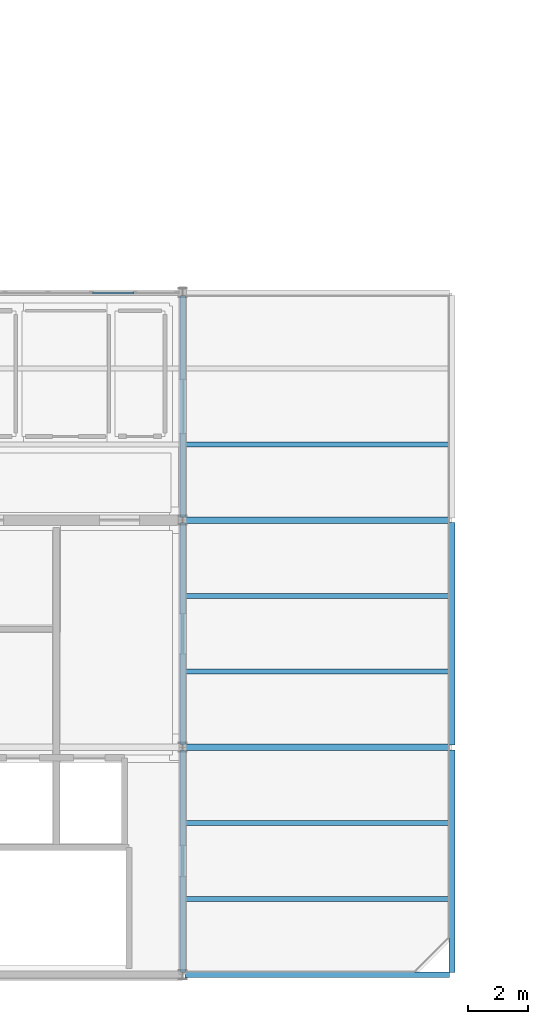
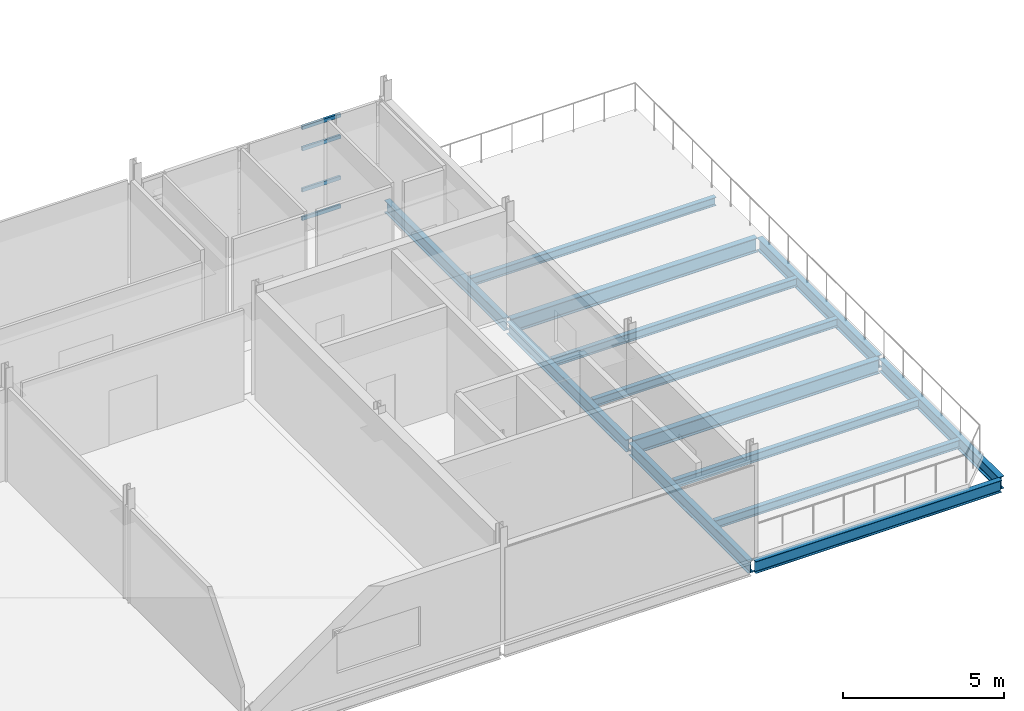
# One storey, part 10 of 24: 13 beams, 4 members, 1 element without a shape of its own.
"""IFC4 building model written with IfcOpenShell, lengths in metres."""

import ifcopenshell
import ifcopenshell.guid

model = None  # the IFC model being written
_history = None  # IfcOwnerHistory: only IFC2X3 demands one
_inside = {}  # id of a spatial element -> (the spatial element, [elements in it])
_under = {}  # id of a project, library or spatial element -> (it, [spatial elements below it])
_declared = {}  # id of a project -> (the project, [libraries it declares])
_typed = {}  # id of a type object -> (the type object, [elements of that type])
_made_of = {}  # id of a material, layer set ... -> (it, [elements and type objects made of it])


def new_model(schema):
    """Start an empty IFC model of exactly this schema.

    Asked for "IFC4X3", IfcOpenShell would pick the latest addendum, in which some entities
    have other attributes; the version numbers below select the first issue.
    IFC2X3 requires an IfcOwnerHistory on every rooted entity: one is made here for all.
    """
    global model, _history
    if schema == "IFC4X3":
        model = ifcopenshell.file(schema_version=(4, 3, 0, 0))
    else:
        model = ifcopenshell.file(schema=schema)
    _inside.clear()
    _under.clear()
    _declared.clear()
    _typed.clear()
    _made_of.clear()
    _history = None
    if model.schema == "IFC2X3":
        org = make("IfcOrganization", Name="unknown")
        user = make(
            "IfcPersonAndOrganization",
            ThePerson=make("IfcPerson", FamilyName="unknown"),
            TheOrganization=org,
        )
        app = make(
            "IfcApplication",
            ApplicationDeveloper=org,
            Version="unknown",
            ApplicationFullName="unknown",
            ApplicationIdentifier="unknown",
        )
        _history = make(
            "IfcOwnerHistory",
            OwningUser=user,
            OwningApplication=app,
            ChangeAction="ADDED",
            CreationDate=0,
        )
    return model


def make(cls, **values):
    """One entity of the class cls with the attributes given. An attribute that is None is left unset."""
    return model.create_entity(
        cls, **{name: value for name, value in values.items() if value is not None}
    )


def rooted(cls, **values):
    """An entity with a GlobalId (a new one), such as an element, a storey or a relation."""
    return make(cls, GlobalId=ifcopenshell.guid.new(), OwnerHistory=_history, **values)


def si_unit(unit_type, name, prefix=None):
    """IfcSIUnit, for example si_unit("LENGTHUNIT", "METRE", prefix="MILLI")."""
    return make("IfcSIUnit", UnitType=unit_type, Prefix=prefix, Name=name)


def assignment(units):
    """IfcUnitAssignment: the units of a project."""
    return None if units is None else make("IfcUnitAssignment", Units=units)


def point(xyz):
    """IfcCartesianPoint."""
    return None if xyz is None else make("IfcCartesianPoint", Coordinates=xyz)


def direction(xyz):
    """IfcDirection."""
    return None if xyz is None else make("IfcDirection", DirectionRatios=xyz)


def frame(location, z_axis=None, x_axis=None):
    """IfcAxis2Placement3D, a coordinate frame: its origin and axes. An axis left out is left unset."""
    return make(
        "IfcAxis2Placement3D",
        Location=point(location),
        Axis=direction(z_axis),
        RefDirection=direction(x_axis),
    )


def frame_2d(location, x_axis=None):
    """IfcAxis2Placement2D, a coordinate frame in the plane: its origin and x axis."""
    return make(
        "IfcAxis2Placement2D", Location=point(location), RefDirection=direction(x_axis)
    )


def origin():
    """The frame at (0, 0, 0) with its axes left unset."""
    return frame((0.0, 0.0, 0.0))


def origin_2d():
    """The frame at (0, 0) in the plane with its x axis left unset."""
    return frame_2d((0.0, 0.0))


def place(relative_to, where):
    """IfcLocalPlacement: puts the frame where relative to a parent placement (None: the world)."""
    return make(
        "IfcLocalPlacement", PlacementRelTo=relative_to, RelativePlacement=where
    )


def context(
    kind, dimensions, precision=None, world=None, true_north=None, identifier=None
):
    """IfcGeometricRepresentationContext, for example the 3D "Model" context."""
    return make(
        "IfcGeometricRepresentationContext",
        ContextIdentifier=identifier,
        ContextType=kind,
        CoordinateSpaceDimension=dimensions,
        Precision=precision,
        WorldCoordinateSystem=world,
        TrueNorth=true_north,
    )


def subcontext(parent, identifier, kind, view, scale=None):
    """IfcGeometricRepresentationSubContext, for example "Body" below "Model"."""
    return make(
        "IfcGeometricRepresentationSubContext",
        ContextIdentifier=identifier,
        ContextType=kind,
        ParentContext=parent,
        TargetScale=scale,
        TargetView=view,
    )


def project(units=None, contexts=None):
    """IfcProject with its units and contexts."""
    return rooted(
        "IfcProject",
        Name="project",
        RepresentationContexts=contexts,
        UnitsInContext=assignment(units),
    )


def spatial(cls, under=None, at=None, **own):
    """A site, building, storey or space (cls), placed at a placement, below another one or the project."""
    s = rooted(cls, ObjectPlacement=at, **own)
    if under is not None:
        _under.setdefault(under.id(), (under, []))[1].append(s)
    return s


def profile(cls, at=None, kind="AREA", **sizes):
    """A parametric profile (cls). Its sizes go by their IFC names, for example OverallWidth=200.0."""
    return make(cls, ProfileType=kind, Position=at, **sizes)


def hollow_rectangle(**sizes):
    """IfcRectangleHollowProfileDef."""
    return profile("IfcRectangleHollowProfileDef", **sizes)


def i_section(**sizes):
    """IfcIShapeProfileDef."""
    return profile("IfcIShapeProfileDef", **sizes)


def extrude(swept, where, along, depth):
    """IfcExtrudedAreaSolid: the profile swept, set in the frame where, extruded along a direction by depth."""
    return make(
        "IfcExtrudedAreaSolid",
        SweptArea=swept,
        Position=where,
        ExtrudedDirection=direction(along),
        Depth=depth,
    )


def shape(context_of_items, identifier, shape_type, items):
    """IfcShapeRepresentation: the items that make up one representation, for example the "Body"."""
    return make(
        "IfcShapeRepresentation",
        ContextOfItems=context_of_items,
        RepresentationIdentifier=identifier,
        RepresentationType=shape_type,
        Items=items,
    )


def material(Name=None, Category=None):
    """IfcMaterial."""
    return make("IfcMaterial", Name=Name, Category=Category)


def material_profile(
    of_material, cross_section, Name=None, Category=None, Priority=None
):
    """IfcMaterialProfile: a cross section and its material."""
    return make(
        "IfcMaterialProfile",
        Name=Name,
        Material=of_material,
        Profile=cross_section,
        Priority=Priority,
        Category=Category,
    )


def profile_set(profiles, Name=None, composite=None):
    """IfcMaterialProfileSet."""
    return make(
        "IfcMaterialProfileSet",
        Name=Name,
        MaterialProfiles=profiles,
        CompositeProfile=composite,
    )


def made_of(thing, what):
    """Note that an element or type object is made of a material, layer set ...; save() writes the relation."""
    if what is not None:
        _made_of.setdefault(what.id(), (what, []))[1].append(thing)
    return thing


def type_object(cls, material=None, **own):
    """A type object (cls), such as IfcWallType, which elements share."""
    return made_of(rooted(cls, **own), material)


def element(
    cls,
    number,
    at=None,
    inside=None,
    cuts=None,
    type_object=None,
    material=None,
    context=None,
    identifier="Body",
    shape_type=None,
    held_by="IfcProductDefinitionShape",
    body=None,
    shapes=None,
    **own,
):
    """One element of the class cls, such as IfcWall. Its Tag is "e" and its number.

    at: its placement. inside: the storey or other place that contains it. cuts: it is an
    opening in that element (IfcRelVoidsElement). A single representation is given by context,
    identifier, shape_type and body (its items); several are given by shapes. held_by: the class
    of the entity that holds the representations. save() writes the other relations.
    """
    e = rooted(cls, Tag="e%d" % number, ObjectPlacement=at, **own)
    if body is not None:
        shapes = [shape(context, identifier, shape_type, body)]
    if shapes is not None:
        e.Representation = make(held_by, Representations=shapes)
    if inside is not None:
        _inside.setdefault(inside.id(), (inside, []))[1].append(e)
    if cuts is not None:
        rooted(
            "IfcRelVoidsElement", RelatingBuildingElement=cuts, RelatedOpeningElement=e
        )
    if type_object is not None:
        _typed.setdefault(type_object.id(), (type_object, []))[1].append(e)
    return made_of(e, material)


def aggregate(whole, parts):
    """IfcRelAggregates: a whole, such as a stair, and the parts it consists of."""
    return rooted("IfcRelAggregates", RelatingObject=whole, RelatedObjects=parts)


def save(model, path):
    """Write the relations noted so far, then the file.

    IfcRelAggregates (storeys below a building ...), IfcRelContainedInSpatialStructure (elements
    in a storey), IfcRelDefinesByType, IfcRelAssociatesMaterial and IfcRelDeclares: one each for
    every whole, place, type object, material and project.
    """
    for whole, parts in _under.values():
        aggregate(whole, parts)
    for where, things in _inside.values():
        rooted(
            "IfcRelContainedInSpatialStructure",
            RelatedElements=things,
            RelatingStructure=where,
        )
    for kind, things in _typed.values():
        rooted("IfcRelDefinesByType", RelatedObjects=things, RelatingType=kind)
    for what, things in _made_of.values():
        rooted("IfcRelAssociatesMaterial", RelatedObjects=things, RelatingMaterial=what)
    for by, libraries in _declared.values():
        rooted("IfcRelDeclares", RelatingContext=by, RelatedDefinitions=libraries)
    model.write(path)


model = new_model("IFC4")

# Units and contexts
model_context = context("Model", 3, precision=1e-05, world=origin(), true_north=direction((0.0, 1.0)))
body_context = subcontext(model_context, "Body", "Model", "MODEL_VIEW")
ifc_project = project(units=[si_unit("LENGTHUNIT", "METRE"), si_unit("AREAUNIT", "SQUARE_METRE"), si_unit("VOLUMEUNIT", "CUBIC_METRE"), si_unit("PLANEANGLEUNIT", "RADIAN"), si_unit("MASSUNIT", "GRAM", prefix="KILO")], contexts=[model_context])

# Site, building, storey
site_placement = place(None, origin())
site = spatial("IfcSite", under=ifc_project, at=site_placement, CompositionType="ELEMENT")
building_placement = place(site_placement, origin())
building = spatial("IfcBuilding", under=site, at=building_placement, Name="Caisbarro Railhouse Central Library", CompositionType="ELEMENT")
storey_placement = place(building_placement, frame((0.0, 0.0, 22.320068359375)))
storey = spatial("IfcBuildingStorey", under=building, at=storey_placement, Name="L05", CompositionType="ELEMENT", Elevation=22.320068359375)

# Beams
ifc_material_1 = material(Name="Steel ASTM A572 Grade 50", Category="steel")
ifc_material_profile_1 = material_profile(ifc_material_1, i_section(OverallWidth=0.2119140625, OverallDepth=0.5439453125, WebThickness=0.01318359375, FlangeThickness=0.021240234375, FilletRadius=0.02001953125, at=origin_2d()), Name="W530X123.0")
ifc_profile_set_1 = profile_set([ifc_material_profile_1], Name="Steel ASTM A572 Grade 50")
beam_type_1 = type_object("IfcBeamType", Name="BM-G05", PredefinedType="BEAM", material=ifc_profile_set_1)
for number, where, z_axis, x_axis, name in (
    (1, (99.080078125, 7.60009765625, -0.482177734375), (1.0, 0.0, 0.0), (0.0, 1.0, 0.0), "G05 beam L05 #2222"),
    (2, (99.080078125, 15.199951171875, -0.482177734375), (1.0, 0.0, 0.0), (0.0, 1.0, 0.0), "G05 beam L05 #2223"),
):
    element("IfcBeam", number, at=place(storey_placement, frame(where, z_axis=z_axis, x_axis=x_axis)), inside=storey, type_object=beam_type_1, Name=name, PredefinedType="BEAM", context=body_context, shape_type="SweptSolid", body=[
        extrude(i_section(OverallWidth=0.2119140625, OverallDepth=0.5439453125, WebThickness=0.01318359375, FlangeThickness=0.021240234375, FilletRadius=0.02001953125, at=origin_2d()), origin(), (0.0, 0.0, 1.0), 8.83984375),
    ])
ifc_material_profile_2 = material_profile(ifc_material_1, i_section(OverallWidth=0.194091796875, OverallDepth=0.468994140625, WebThickness=0.0126953125, FlangeThickness=0.0205078125, FilletRadius=0.01806640625, at=origin_2d()), Name="W460X106.0")
ifc_profile_set_2 = profile_set([ifc_material_profile_2], Name="Steel ASTM A572 Grade 50")
beam_type_2 = type_object("IfcBeamType", Name="BM-G07", PredefinedType="BEAM", material=ifc_profile_set_2)
beam_1_placement = place(storey_placement, frame((99.0, 0.080078125, -0.474609375), z_axis=(0.0, 1.0, 0.0), x_axis=(-1.0, 0.0, 0.0)))
element("IfcBeam", 3, at=beam_1_placement, inside=storey, type_object=beam_type_2, Name="G07 beam L05 #2202", PredefinedType="BEAM", context=body_context, shape_type="SweptSolid", body=[
    extrude(i_section(OverallWidth=0.194091796875, OverallDepth=0.468994140625, WebThickness=0.0126953125, FlangeThickness=0.0205078125, FilletRadius=0.01806640625, at=origin_2d()), origin(), (0.0, 0.0, 1.0), 7.43994140625),
])
beam_2_placement = place(storey_placement, frame((99.0, 7.679931640625, -0.474609375), z_axis=(0.0, 1.0, 0.0), x_axis=(-1.0, 0.0, 0.0)))
element("IfcBeam", 4, at=beam_2_placement, inside=storey, type_object=beam_type_2, Name="G07 beam L05 #2203", PredefinedType="BEAM", context=body_context, shape_type="SweptSolid", body=[
    extrude(i_section(OverallWidth=0.194091796875, OverallDepth=0.468994140625, WebThickness=0.0126953125, FlangeThickness=0.0205078125, FilletRadius=0.01806640625, at=origin_2d()), origin(), (0.0, 0.0, 1.0), 7.440185546875),
])
for number, where, z_axis, x_axis, name in (
    (5, (99.0, 15.280029296875, -0.474609375), (0.0, 1.0, 0.0), (-1.0, 0.0, 0.0), "G07 beam L05 #2204"),
    (6, (108.0, 0.080078125, -0.444580078125), (0.0, 1.0, 0.0), (-1.0, 0.0, 0.0), "G07 beam L05 #2225"),
):
    element("IfcBeam", number, at=place(storey_placement, frame(where, z_axis=z_axis, x_axis=x_axis)), inside=storey, type_object=beam_type_2, Name=name, PredefinedType="BEAM", context=body_context, shape_type="SweptSolid", body=[
        extrude(i_section(OverallWidth=0.194091796875, OverallDepth=0.468994140625, WebThickness=0.0126953125, FlangeThickness=0.0205078125, FilletRadius=0.01806640625, at=origin_2d()), origin(), (0.0, 0.0, 1.0), 7.43994140625),
    ])
beam_3_placement = place(storey_placement, frame((108.0, 7.679931640625, -0.444580078125), z_axis=(0.0, 1.0, 0.0), x_axis=(-1.0, 0.0, 0.0)))
element("IfcBeam", 7, at=beam_3_placement, inside=storey, type_object=beam_type_2, Name="G07 beam L05 #2226", PredefinedType="BEAM", context=body_context, shape_type="SweptSolid", body=[
    extrude(i_section(OverallWidth=0.194091796875, OverallDepth=0.468994140625, WebThickness=0.0126953125, FlangeThickness=0.0205078125, FilletRadius=0.01806640625, at=origin_2d()), origin(), (0.0, 0.0, 1.0), 7.440185546875),
])
ifc_material_profile_3 = material_profile(ifc_material_1, i_section(OverallWidth=0.1669921875, OverallDepth=0.31689453125, WebThickness=0.007568359375, FlangeThickness=0.01318359375, FilletRadius=0.011962890625, at=origin_2d()), Name="W310X52.0")
ifc_profile_set_3 = profile_set([ifc_material_profile_3], Name="Steel ASTM A572 Grade 50")
beam_type_3 = type_object("IfcBeamType", Name="BM-J02", PredefinedType="JOIST", material=ifc_profile_set_3)
for number, where, z_axis, x_axis, name in (
    (8, (99.096923828125, 2.533203125, -0.36865234375), (1.0, 0.0, 0.0), (0.0, 1.0, 0.0), "J02 beam L05 #2228"),
    (9, (99.096923828125, 5.066650390625, -0.36865234375), (1.0, 0.0, 0.0), (0.0, 1.0, 0.0), "J02 beam L05 #2229"),
    (10, (99.096923828125, 10.13330078125, -0.36865234375), (1.0, 0.0, 0.0), (0.0, 1.0, 0.0), "J02 beam L05 #2230"),
    (11, (99.096923828125, 12.666748046875, -0.36865234375), (1.0, 0.0, 0.0), (0.0, 1.0, 0.0), "J02 beam L05 #2231"),
    (12, (99.096923828125, 17.7333984375, -0.36865234375), (1.0, 0.0, 0.0), (0.0, 1.0, 0.0), "J02 beam L05 #2232"),
):
    element("IfcBeam", number, at=place(storey_placement, frame(where, z_axis=z_axis, x_axis=x_axis)), inside=storey, type_object=beam_type_3, Name=name, PredefinedType="JOIST", context=body_context, shape_type="SweptSolid", body=[
        extrude(i_section(OverallWidth=0.1669921875, OverallDepth=0.31689453125, WebThickness=0.007568359375, FlangeThickness=0.01318359375, FilletRadius=0.011962890625, at=origin_2d()), origin(), (0.0, 0.0, 1.0), 8.80615234375),
    ])
ifc_material_profile_4 = material_profile(ifc_material_1, i_section(OverallWidth=0.18994140625, OverallDepth=0.45703125, WebThickness=0.009033203125, FlangeThickness=0.014404296875, FilletRadius=0.01806640625, at=origin_2d()), Name="W460X74.0")
ifc_profile_set_4 = profile_set([ifc_material_profile_4], Name="Steel ASTM A572 Grade 50")
beam_type_4 = type_object("IfcBeamType", Name="BM-SP01", PredefinedType="SPANDREL", material=ifc_profile_set_4)
beam_4_placement = place(storey_placement, frame((99.080078125, 0.0, -0.4384765625), z_axis=(1.0, 0.0, 0.0), x_axis=(0.0, 1.0, 0.0)))
element("IfcBeam", 13, at=beam_4_placement, inside=storey, type_object=beam_type_4, Name="SP01 beam L05 #2221", PredefinedType="SPANDREL", context=body_context, shape_type="SweptSolid", body=[
    extrude(i_section(OverallWidth=0.18994140625, OverallDepth=0.45703125, WebThickness=0.009033203125, FlangeThickness=0.014404296875, FilletRadius=0.01806640625, at=origin_2d()), origin(), (0.0, 0.0, 1.0), 8.83984375),
])

# Curtain wall, members
ifc_material_2 = material(Name="Anodised architectural aluminium", Category="aluminium")
curtain_wall_type = type_object("IfcCurtainWallType", Name="CW-CW02", PredefinedType="NOTDEFINED", material=ifc_material_2)
curtain_wall_placement = place(storey_placement, origin())
curtain_wall = element("IfcCurtainWall", 14, at=curtain_wall_placement, inside=storey, type_object=curtain_wall_type, Name="CW02 curtain wall L05 #73", PredefinedType="NOTDEFINED")
ifc_material_profile_5 = material_profile(ifc_material_2, hollow_rectangle(XDim=0.074951171875, YDim=0.139892578125, WallThickness=0.00390625, at=origin_2d()), Name="ALU-TRN-75X140")
ifc_profile_set_5 = profile_set([ifc_material_profile_5], Name="Anodised architectural aluminium")
member_type = type_object("IfcMemberType", Name="CWT-T01", PredefinedType="USERDEFINED", material=ifc_profile_set_5)
member_1_placement = place(storey_placement, frame((95.979248046875, 22.800048828125, 0.037353515625), z_axis=(1.0, 0.0, 0.0), x_axis=(0.0, 1.0, 0.0)))
member_1 = element("IfcMember", 15, at=member_1_placement, type_object=member_type, Name="CW02 transom 5.1", ObjectType="TRANSOM", PredefinedType="USERDEFINED", context=body_context, shape_type="SweptSolid", body=[
    extrude(hollow_rectangle(XDim=0.074951171875, YDim=0.139892578125, WallThickness=0.00390625, at=origin_2d()), origin(), (0.0, 0.0, 1.0), 1.381591796875),
])
member_2_placement = place(storey_placement, frame((95.979248046875, 22.800048828125, 1.119873046875), z_axis=(1.0, 0.0, 0.0), x_axis=(0.0, 1.0, 0.0)))
member_2 = element("IfcMember", 16, at=member_2_placement, type_object=member_type, Name="CW02 transom 5.2", ObjectType="TRANSOM", PredefinedType="USERDEFINED", context=body_context, shape_type="SweptSolid", body=[
    extrude(hollow_rectangle(XDim=0.074951171875, YDim=0.139892578125, WallThickness=0.00390625, at=origin_2d()), origin(), (0.0, 0.0, 1.0), 1.381591796875),
])
member_3_placement = place(storey_placement, frame((95.979248046875, 22.800048828125, 2.679931640625), z_axis=(1.0, 0.0, 0.0), x_axis=(0.0, 1.0, 0.0)))
member_3 = element("IfcMember", 17, at=member_3_placement, type_object=member_type, Name="CW02 transom 5.3", ObjectType="TRANSOM", PredefinedType="USERDEFINED", context=body_context, shape_type="SweptSolid", body=[
    extrude(hollow_rectangle(XDim=0.074951171875, YDim=0.139892578125, WallThickness=0.00390625, at=origin_2d()), origin(), (0.0, 0.0, 1.0), 1.381591796875),
])
member_4_placement = place(storey_placement, frame((95.979248046875, 22.800048828125, 3.492431640625), z_axis=(1.0, 0.0, 0.0), x_axis=(0.0, 1.0, 0.0)))
member_4 = element("IfcMember", 18, at=member_4_placement, type_object=member_type, Name="CW02 transom 5.4", ObjectType="TRANSOM", PredefinedType="USERDEFINED", context=body_context, shape_type="SweptSolid", body=[
    extrude(hollow_rectangle(XDim=0.074951171875, YDim=0.139892578125, WallThickness=0.00390625, at=origin_2d()), origin(), (0.0, 0.0, 1.0), 1.381591796875),
])
aggregate(curtain_wall, [member_1, member_2, member_3, member_4])

save(model, "model.ifc")
